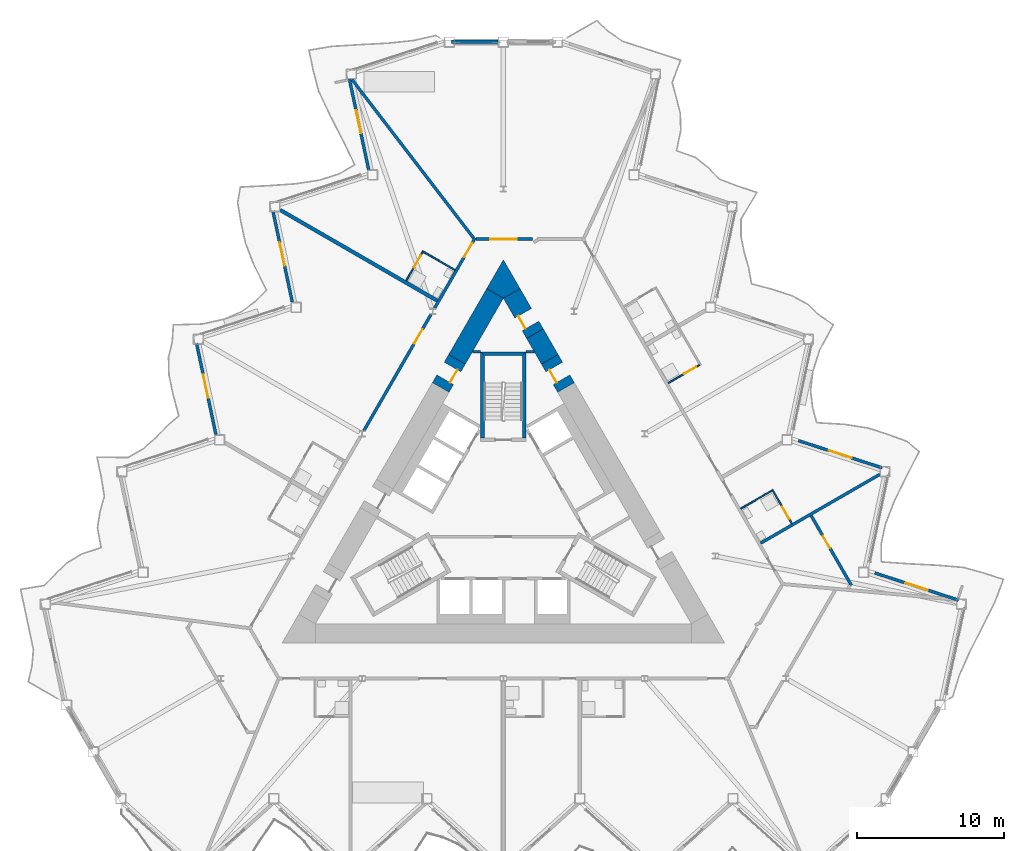
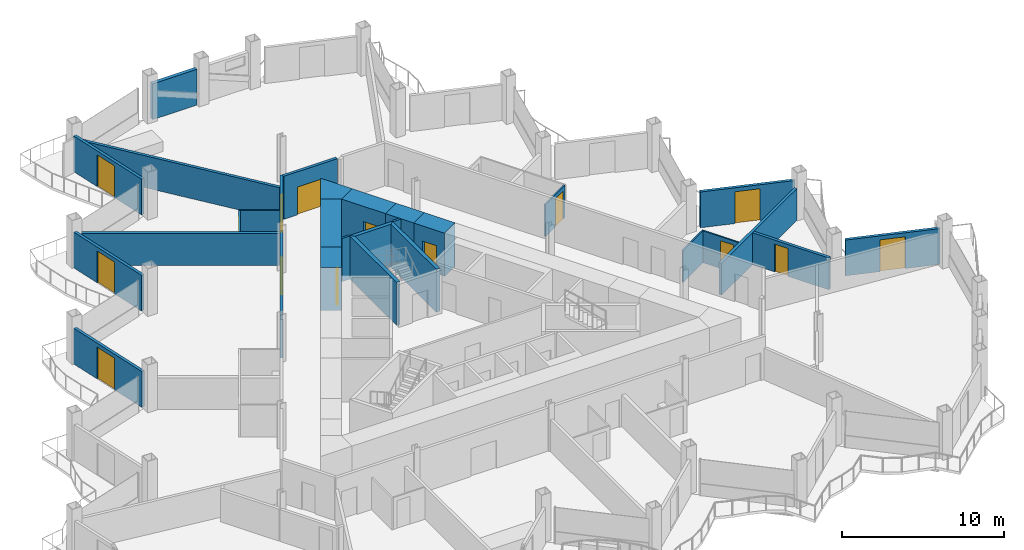
# One storey, part 14 of 23: 29 walls, 15 doors, 15 openings.
"""IFC4 building model written with IfcOpenShell, lengths in metres."""

from ifc_helpers import new_model, si_unit, direction, frame, frame_2d, origin, place, context, subcontext, project, spatial, polyline, rectangle, outline, extrude, material, layer, layer_set, type_object, element, fill, save


model = new_model("IFC4")

# Units and contexts
model_context = context("Model", 3, precision=1e-05, world=origin(), true_north=direction((0.0, 1.0)))
body_context = subcontext(model_context, "Body", "Model", "MODEL_VIEW")
ifc_project = project(units=[si_unit("LENGTHUNIT", "METRE"), si_unit("AREAUNIT", "SQUARE_METRE"), si_unit("VOLUMEUNIT", "CUBIC_METRE"), si_unit("PLANEANGLEUNIT", "RADIAN"), si_unit("MASSUNIT", "GRAM", prefix="KILO")], contexts=[model_context])

# Site, building, storey
site_placement = place(None, origin())
site = spatial("IfcSite", under=ifc_project, at=site_placement, CompositionType="ELEMENT")
building_placement = place(site_placement, origin())
building = spatial("IfcBuilding", under=site, at=building_placement, Name="Cormorant Prow Tower", CompositionType="ELEMENT")
storey_placement = place(building_placement, frame((0.0, 0.0, 259.800048828125)))
storey = spatial("IfcBuildingStorey", under=building, at=storey_placement, Name="L58", CompositionType="ELEMENT", Elevation=259.800048828125)

# Walls
ifc_material_1 = material(Name="Gypsum board partition")
ifc_layer_1 = layer(ifc_material_1, 0.14990234375)
ifc_layer_set_1 = layer_set([ifc_layer_1], Name="Gypsum board partition")
wall_type_1 = type_object("IfcWallType", Name="Core partition 150", PredefinedType="PARTITIONING", material=ifc_layer_set_1)
for number, where, z_axis, x_axis, name in (
    (1, (1.5439453125, 11.0869140625, 0.0), (0.0, 0.0, 1.0), (1.0, 0.0, 0.0), "Service room partition"),
    (2, (-1.5439453125, 11.0869140625, 0.0), (0.0, 0.0, 1.0), (-1.0, 0.0, 0.0), "Service room partition"),
):
    element("IfcWall", number, at=place(storey_placement, frame(where, z_axis=z_axis, x_axis=x_axis)), inside=storey, type_object=wall_type_1, Name=name, PredefinedType="PARTITIONING", context=body_context, shape_type="SweptSolid", body=[
        extrude(rectangle(XDim=0.553955078125, YDim=0.14990234375, at=frame_2d((0.27685546875, 0.0))), origin(), (0.0, 0.0, 1.0), 3.25),
    ])
ifc_material_2 = material(Name="Concrete 8000 psi", Category="concrete")
ifc_layer_2 = layer(ifc_material_2, 1.300048828125)
ifc_layer_set_2 = layer_set([ifc_layer_2], Name="Concrete 8000 psi")
wall_type_2 = type_object("IfcWallType", Name="Core shear wall 1300", PredefinedType="SHEAR", material=ifc_layer_set_2)
wall_1_placement = place(storey_placement, frame((3.14501953125, 10.572998046875, 0.0), z_axis=(0.0, 0.0, 1.0), x_axis=(-0.500006371327, 0.866021725266, 0.0)))
element("IfcWall", 3, at=wall_1_placement, inside=storey, type_object=wall_type_2, Name="Core wall", PredefinedType="SHEAR", context=body_context, shape_type="SweptSolid", body=[
    extrude(rectangle(XDim=2.009765625, YDim=1.300048828125, at=frame_2d((1.0048828125, 0.0))), origin(), (0.0, 0.0, 1.0), 3.25),
])
wall_2_placement = place(storey_placement, frame((-0.56298828125, 15.04541015625, 0.0), z_axis=(0.0, 0.0, 1.0), x_axis=(-0.499982995661, -0.866035221021, 0.0)))
element("IfcWall", 4, at=wall_2_placement, inside=storey, type_object=wall_type_2, Name="Core wall", PredefinedType="SHEAR", context=body_context, shape_type="SweptSolid", body=[
    extrude(rectangle(XDim=5.164306640625, YDim=1.300048828125, at=frame_2d((2.58203125, 0.0))), origin(), (0.0, 0.0, 1.0), 3.25),
])
wall_3_placement = place(storey_placement, origin())
element("IfcWall", 5, at=wall_3_placement, inside=storey, type_object=wall_type_2, Name="Core wall corner", PredefinedType="SHEAR", context=body_context, shape_type="SweptSolid", body=[
    extrude(outline(polyline([(-1.125732421875, 15.37060546875), (0.0, 17.320556640625), (1.125732421875, 15.37060546875), (0.0, 14.720458984375), (-1.125732421875, 15.37060546875)])), origin(), (0.0, 0.0, 1.0), 3.25),
])

# Wall, opening, door
wall_4_placement = place(storey_placement, frame((2.14013671875, 12.3134765625, 0.0), z_axis=(0.0, 0.0, 1.0), x_axis=(-0.499968102766, 0.866043818878, 0.0)))
wall_4 = element("IfcWall", 6, at=wall_4_placement, inside=storey, type_object=wall_type_2, Name="Core wall door panel", PredefinedType="SHEAR", context=body_context, shape_type="SweptSolid", body=[
    extrude(rectangle(XDim=3.154541015625, YDim=1.300048828125, at=frame_2d((1.5771484375, 0.0))), origin(), (0.0, 0.0, 1.0), 3.25),
])
opening_1_placement = place(wall_4_placement, frame((0.60009765625, 0.0, 0.0)))
opening_1 = element("IfcOpeningElement", 7, at=opening_1_placement, cuts=wall_4, Name="Opening L58-C16", PredefinedType="OPENING", context=body_context, shape_type="SweptSolid", body=[
    extrude(rectangle(XDim=1.0, YDim=2.10009765625, at=frame_2d((0.5, 1.050048828125))), frame((0.0, 0.659912109375, 0.0), z_axis=(0.0, -1.0, 0.0), x_axis=(1.0, 0.0, 0.0)), (0.0, 0.0, 1.0), 1.320068359375),
])
ifc_material_3 = material(Name="Painted steel", Category="steel")
door_type_1 = type_object("IfcDoorType", Name="Service door 1000x2100", OperationType="NOTDEFINED", PredefinedType="DOOR", material=ifc_material_3)
door_1_placement = place(opening_1_placement, origin())
door_1 = element("IfcDoor", 8, at=door_1_placement, inside=storey, type_object=door_type_1, Name="Core door, Mechanical riser room", OperationType="SINGLE_SWING_LEFT", OverallHeight=2.10009765625, OverallWidth=1.0, PredefinedType="DOOR", context=body_context, shape_type="SweptSolid", body=[
    extrude(rectangle(XDim=1.0, YDim=2.10009765625, at=frame_2d((0.5, 1.050048828125))), frame((0.0, 0.40478515625, 0.0), z_axis=(0.0, -1.0, 0.0), x_axis=(1.0, 0.0, 0.0)), (0.0, 0.0, 1.0), 0.050048828125),
])
fill(opening_1, door_1)

wall_5_placement = place(storey_placement, frame((4.2451171875, 8.667724609375, 0.0), z_axis=(0.0, 0.0, 1.0), x_axis=(-0.50002983664, 0.866008176907, 0.0)))
wall_5 = element("IfcWall", 9, at=wall_5_placement, inside=storey, type_object=wall_type_2, Name="Core wall door panel", PredefinedType="SHEAR", context=body_context, shape_type="SweptSolid", body=[
    extrude(rectangle(XDim=2.199951171875, YDim=1.300048828125, at=frame_2d((1.10009765625, 0.0))), origin(), (0.0, 0.0, 1.0), 3.25),
])
opening_2_placement = place(wall_5_placement, frame((0.60009765625, 0.0, 0.0)))
opening_2 = element("IfcOpeningElement", 10, at=opening_2_placement, cuts=wall_5, Name="Opening L58-C17", PredefinedType="OPENING", context=body_context, shape_type="SweptSolid", body=[
    extrude(rectangle(XDim=1.0, YDim=2.10009765625, at=frame_2d((0.5, 1.050048828125))), frame((0.0, 0.659912109375, 0.0), z_axis=(0.0, -1.0, 0.0), x_axis=(1.0, 0.0, 0.0)), (0.0, 0.0, 1.0), 1.320068359375),
])
door_2_placement = place(opening_2_placement, origin())
door_2 = element("IfcDoor", 11, at=door_2_placement, inside=storey, type_object=door_type_1, Name="Core door, Mechanical riser room", OperationType="SINGLE_SWING_LEFT", OverallHeight=2.10009765625, OverallWidth=1.0, PredefinedType="DOOR", context=body_context, shape_type="SweptSolid", body=[
    extrude(rectangle(XDim=1.0, YDim=2.10009765625, at=frame_2d((0.5, 1.050048828125))), frame((0.0, 0.40478515625, 0.0), z_axis=(0.0, -1.0, 0.0), x_axis=(1.0, 0.0, 0.0)), (0.0, 0.0, 1.0), 0.050048828125),
])
fill(opening_2, door_2)

wall_6_placement = place(storey_placement, frame((-3.14501953125, 10.572998046875, 0.0), z_axis=(0.0, 0.0, 1.0), x_axis=(-0.50002983664, -0.866008176907, 0.0)))
wall_6 = element("IfcWall", 12, at=wall_6_placement, inside=storey, type_object=wall_type_2, Name="Core wall door panel", PredefinedType="SHEAR", context=body_context, shape_type="SweptSolid", body=[
    extrude(rectangle(XDim=2.199951171875, YDim=1.300048828125, at=frame_2d((1.10009765625, 0.0))), origin(), (0.0, 0.0, 1.0), 3.25),
])
opening_3_placement = place(wall_6_placement, frame((0.60009765625, 0.0, 0.0)))
opening_3 = element("IfcOpeningElement", 13, at=opening_3_placement, cuts=wall_6, Name="Opening L58-C18", PredefinedType="OPENING", context=body_context, shape_type="SweptSolid", body=[
    extrude(rectangle(XDim=1.0, YDim=2.10009765625, at=frame_2d((0.5, 1.050048828125))), frame((0.0, 0.659912109375, 0.0), z_axis=(0.0, -1.0, 0.0), x_axis=(1.0, 0.0, 0.0)), (0.0, 0.0, 1.0), 1.320068359375),
])
door_3_placement = place(opening_3_placement, origin())
door_3 = element("IfcDoor", 14, at=door_3_placement, inside=storey, type_object=door_type_1, Name="Core door, Mechanical riser room", OperationType="SINGLE_SWING_RIGHT", OverallHeight=2.10009765625, OverallWidth=1.0, PredefinedType="DOOR", context=body_context, shape_type="SweptSolid", body=[
    extrude(rectangle(XDim=1.0, YDim=2.10009765625, at=frame_2d((0.5, 1.050048828125))), frame((0.0, 0.40478515625, 0.0), z_axis=(0.0, -1.0, 0.0), x_axis=(1.0, 0.0, 0.0)), (0.0, 0.0, 1.0), 0.050048828125),
])
fill(opening_3, door_3)

ifc_material_4 = material(Name="Gypsum board corridor wall")
ifc_layer_3 = layer(ifc_material_4, 0.199951171875)
ifc_layer_set_3 = layer_set([ifc_layer_3], Name="Gypsum board corridor wall")
wall_type_3 = type_object("IfcWallType", Name="Corridor wall 200", PredefinedType="PARTITIONING", material=ifc_layer_set_3)
wall_7_placement = place(storey_placement, frame((-9.45751953125, 5.739501953125, 0.0), z_axis=(0.0, 0.0, 1.0), x_axis=(0.50000207303, 0.866024206917, 0.0)))
wall_7 = element("IfcWall", 15, at=wall_7_placement, inside=storey, type_object=wall_type_3, Name="Corridor wall", PredefinedType="PARTITIONING", context=body_context, shape_type="SweptSolid", body=[
    extrude(rectangle(XDim=9.0947265625, YDim=0.199951171875, at=frame_2d((4.54736328125, 0.0))), origin(), (0.0, 0.0, 1.0), 3.25),
])
opening_4_placement = place(wall_7_placement, frame((6.833251953125, 0.0, 0.0)))
opening_4 = element("IfcOpeningElement", 16, at=opening_4_placement, cuts=wall_7, Name="Opening L58-F21", PredefinedType="OPENING", context=body_context, shape_type="SweptSolid", body=[
    extrude(rectangle(XDim=1.10009765625, YDim=2.10009765625, at=frame_2d((0.550048828125, 1.050048828125))), frame((0.0, 0.10986328125, 0.0), z_axis=(0.0, -1.0, 0.0), x_axis=(1.0, 0.0, 0.0)), (0.0, 0.0, 1.0), 0.219970703125),
])
ifc_material_5 = material(Name="Timber door leaf", Category="wood")
door_type_2 = type_object("IfcDoorType", Name="Suite entrance door 1100x2100", OperationType="NOTDEFINED", PredefinedType="DOOR", material=ifc_material_5)
door_4_placement = place(opening_4_placement, origin())
door_4 = element("IfcDoor", 17, at=door_4_placement, inside=storey, type_object=door_type_2, Name="Executive suite bedroom door", OperationType="SINGLE_SWING_RIGHT", OverallHeight=2.10009765625, OverallWidth=1.10009765625, PredefinedType="DOOR", context=body_context, shape_type="SweptSolid", body=[
    extrude(rectangle(XDim=1.10009765625, YDim=2.10009765625, at=frame_2d((0.550048828125, 1.050048828125))), frame((0.0, 0.02490234375, 0.0), z_axis=(0.0, -1.0, 0.0), x_axis=(1.0, 0.0, 0.0)), (0.0, 0.0, 1.0), 0.050048828125),
])
fill(opening_4, door_4)

wall_8_placement = place(storey_placement, frame((-4.668212890625, 14.034912109375, 0.0), z_axis=(0.0, 0.0, 1.0), x_axis=(0.499984524817, 0.866034338201, 0.0)))
wall_8 = element("IfcWall", 18, at=wall_8_placement, inside=storey, type_object=wall_type_3, Name="Corridor wall", PredefinedType="PARTITIONING", context=body_context, shape_type="SweptSolid", body=[
    extrude(rectangle(XDim=5.510498046875, YDim=0.199951171875, at=frame_2d((2.75537109375, 0.0))), origin(), (0.0, 0.0, 1.0), 3.25),
])
opening_5_placement = place(wall_8_placement, frame((4.009765625, 0.0, 0.0)))
opening_5 = element("IfcOpeningElement", 19, at=opening_5_placement, cuts=wall_8, Name="Opening L58-F19", PredefinedType="OPENING", context=body_context, shape_type="SweptSolid", body=[
    extrude(rectangle(XDim=1.10009765625, YDim=2.10009765625, at=frame_2d((0.550048828125, 1.050048828125))), frame((0.0, 0.10986328125, 0.0), z_axis=(0.0, -1.0, 0.0), x_axis=(1.0, 0.0, 0.0)), (0.0, 0.0, 1.0), 0.219970703125),
])
door_5_placement = place(opening_5_placement, origin())
door_5 = element("IfcDoor", 20, at=door_5_placement, inside=storey, type_object=door_type_2, Name="Junior suite door", OperationType="SINGLE_SWING_RIGHT", OverallHeight=2.10009765625, OverallWidth=1.10009765625, PredefinedType="DOOR", context=body_context, shape_type="SweptSolid", body=[
    extrude(rectangle(XDim=1.10009765625, YDim=2.10009765625, at=frame_2d((0.550048828125, 1.050048828125))), frame((0.0, 0.02490234375, 0.0), z_axis=(0.0, -1.0, 0.0), x_axis=(1.0, 0.0, 0.0)), (0.0, 0.0, 1.0), 0.050048828125),
])
fill(opening_5, door_5)

wall_9_placement = place(storey_placement, frame((-1.863037109375, 18.720458984375, 0.0), z_axis=(0.0, 0.0, 1.0), x_axis=(1.0, 0.0, 0.0)))
wall_9 = element("IfcWall", 21, at=wall_9_placement, inside=storey, type_object=wall_type_3, Name="Corridor wall", PredefinedType="PARTITIONING", context=body_context, shape_type="SweptSolid", body=[
    extrude(rectangle(XDim=3.825927734375, YDim=0.199951171875, at=frame_2d((1.9130859375, 0.0))), origin(), (0.0, 0.0, 1.0), 3.25),
])
opening_6_placement = place(wall_9_placement, frame((0.962158203125, 0.0, 0.0)))
opening_6 = element("IfcOpeningElement", 22, at=opening_6_placement, cuts=wall_9, Name="Opening L58-F18", PredefinedType="OPENING", context=body_context, shape_type="SweptSolid", body=[
    extrude(rectangle(XDim=1.800048828125, YDim=2.10009765625, at=frame_2d((0.89990234375, 1.050048828125))), frame((0.0, 0.10986328125, 0.0), z_axis=(0.0, -1.0, 0.0), x_axis=(1.0, 0.0, 0.0)), (0.0, 0.0, 1.0), 0.219970703125),
])
ifc_material_6 = material(Name="Timber door leaf", Category="wood")
door_type_3 = type_object("IfcDoorType", Name="Double door 1800x2100", OperationType="DOUBLE_DOOR_SINGLE_SWING", PredefinedType="DOOR", material=ifc_material_6)
door_6_placement = place(opening_6_placement, origin())
door_6 = element("IfcDoor", 23, at=door_6_placement, inside=storey, type_object=door_type_3, Name="Co-working space door", OperationType="DOUBLE_DOOR_SINGLE_SWING", OverallHeight=2.10009765625, OverallWidth=1.800048828125, PredefinedType="DOOR", context=body_context, shape_type="SweptSolid", body=[
    extrude(rectangle(XDim=1.800048828125, YDim=2.10009765625, at=frame_2d((0.89990234375, 1.050048828125))), frame((0.0, 0.02490234375, 0.0), z_axis=(0.0, -1.0, 0.0), x_axis=(1.0, 0.0, 0.0)), (0.0, 0.0, 1.0), 0.050048828125),
])
fill(opening_6, door_6)

# Walls
ifc_material_7 = material(Name="Gypsum board demising wall")
ifc_layer_4 = layer(ifc_material_7, 0.199951171875)
ifc_layer_set_4 = layer_set([ifc_layer_4], Name="Gypsum board demising wall")
wall_type_4 = type_object("IfcWallType", Name="Demising wall 200", PredefinedType="PARTITIONING", material=ifc_layer_set_4)
wall_10_placement = place(storey_placement, frame((-10.27734375, 29.555908203125, 0.0), z_axis=(0.0, 0.0, 1.0), x_axis=(0.60876001101, -0.793354428358, 0.0)))
element("IfcWall", 24, at=wall_10_placement, inside=storey, type_object=wall_type_4, Name="Demising wall", PredefinedType="PARTITIONING", context=body_context, shape_type="SweptSolid", body=[
    extrude(rectangle(XDim=13.557861328125, YDim=0.199951171875, at=frame_2d((6.77880859375, 0.0))), origin(), (0.0, 0.0, 1.0), 2.404052734375),
])
wall_11_placement = place(storey_placement, frame((17.442626953125, -1.89111328125, 0.0), z_axis=(0.0, 0.0, 1.0), x_axis=(0.866019838429, 0.500009639354, 0.0)))
element("IfcWall", 25, at=wall_11_placement, inside=storey, type_object=wall_type_4, Name="Demising wall", PredefinedType="PARTITIONING", context=body_context, shape_type="SweptSolid", body=[
    extrude(rectangle(XDim=9.321044921875, YDim=0.199951171875, at=frame_2d((4.66064453125, 0.0))), origin(), (0.0, 0.0, 1.0), 2.404052734375),
])

# Wall, opening, door
wall_12_placement = place(storey_placement, frame((20.8701171875, -0.027587890625, 0.0), z_axis=(0.0, 0.0, 1.0), x_axis=(0.499993928037, -0.866028909405, 0.0)))
wall_12 = element("IfcWall", 26, at=wall_12_placement, inside=storey, type_object=wall_type_4, Name="Demising wall", PredefinedType="PARTITIONING", context=body_context, shape_type="SweptSolid", body=[
    extrude(rectangle(XDim=5.44921875, YDim=0.199951171875, at=frame_2d((2.724609375, 0.0))), origin(), (0.0, 0.0, 1.0), 2.404052734375),
])
opening_7_placement = place(wall_12_placement, frame((1.5830078125, 0.0, 0.0)))
opening_7 = element("IfcOpeningElement", 27, at=opening_7_placement, cuts=wall_12, Name="Opening L58-F11", PredefinedType="OPENING", context=body_context, shape_type="SweptSolid", body=[
    extrude(rectangle(XDim=0.949951171875, YDim=2.10009765625, at=frame_2d((0.47509765625, 1.050048828125))), frame((0.0, 0.10986328125, 0.0), z_axis=(0.0, -1.0, 0.0), x_axis=(1.0, 0.0, 0.0)), (0.0, 0.0, 1.0), 0.219970703125),
])
ifc_material_8 = material(Name="Timber door leaf", Category="wood")
door_type_4 = type_object("IfcDoorType", Name="Store door 950x2100", OperationType="NOTDEFINED", PredefinedType="DOOR", material=ifc_material_8)
door_7_placement = place(opening_7_placement, origin())
door_7 = element("IfcDoor", 28, at=door_7_placement, inside=storey, type_object=door_type_4, Name="Housekeeping room door", OperationType="SINGLE_SWING_LEFT", OverallHeight=2.10009765625, OverallWidth=0.949951171875, PredefinedType="DOOR", context=body_context, shape_type="SweptSolid", body=[
    extrude(rectangle(XDim=0.949951171875, YDim=2.10009765625, at=frame_2d((0.47509765625, 1.050048828125))), frame((0.0, 0.02490234375, 0.0), z_axis=(0.0, -1.0, 0.0), x_axis=(1.0, 0.0, 0.0)), (0.0, 0.0, 1.0), 0.050048828125),
])
fill(opening_7, door_7)

ifc_material_9 = material(Name="Gypsum board partition")
ifc_layer_5 = layer(ifc_material_9, 0.10009765625)
ifc_layer_set_5 = layer_set([ifc_layer_5], Name="Gypsum board partition")
wall_type_5 = type_object("IfcWallType", Name="Internal partition 100", PredefinedType="PARTITIONING", material=ifc_layer_set_5)
wall_13_placement = place(storey_placement, frame((18.232666015625, 1.740478515625, 0.0), z_axis=(0.0, 0.0, 1.0), x_axis=(0.499993606316, -0.866029095148, 0.0)))
wall_13 = element("IfcWall", 29, at=wall_13_placement, inside=storey, type_object=wall_type_5, Name="Internal partition", PredefinedType="PARTITIONING", context=body_context, shape_type="SweptSolid", body=[
    extrude(rectangle(XDim=2.64990234375, YDim=0.10009765625, at=frame_2d((1.324951171875, 0.0))), origin(), (0.0, 0.0, 1.0), 2.404052734375),
])
opening_8_placement = place(wall_13_placement, frame((1.3408203125, 0.0, 0.0)))
opening_8 = element("IfcOpeningElement", 30, at=opening_8_placement, cuts=wall_13, Name="Opening L58-F13", PredefinedType="OPENING", context=body_context, shape_type="SweptSolid", body=[
    extrude(rectangle(XDim=0.949951171875, YDim=2.10009765625, at=frame_2d((0.47509765625, 1.050048828125))), frame((0.0, 0.06005859375, 0.0), z_axis=(0.0, -1.0, 0.0), x_axis=(1.0, 0.0, 0.0)), (0.0, 0.0, 1.0), 0.1201171875),
])
ifc_material_10 = material(Name="Timber door leaf", Category="wood")
door_type_5 = type_object("IfcDoorType", Name="Bathroom door 950x2100", OperationType="NOTDEFINED", PredefinedType="DOOR", material=ifc_material_10)
door_8_placement = place(opening_8_placement, origin())
door_8 = element("IfcDoor", 31, at=door_8_placement, inside=storey, type_object=door_type_5, Name="Guest room door", OperationType="SINGLE_SWING_RIGHT", OverallHeight=2.10009765625, OverallWidth=0.949951171875, PredefinedType="DOOR", context=body_context, shape_type="SweptSolid", body=[
    extrude(rectangle(XDim=0.949951171875, YDim=2.10009765625, at=frame_2d((0.47509765625, 1.050048828125))), frame((0.0, 0.02490234375, 0.0), z_axis=(0.0, -1.0, 0.0), x_axis=(1.0, 0.0, 0.0)), (0.0, 0.0, 1.0), 0.050048828125),
])
fill(opening_8, door_8)

# Wall
wall_14_placement = place(storey_placement, frame((16.092529296875, 0.447265625, 0.0), z_axis=(0.0, 0.0, 1.0), x_axis=(0.866057815567, 0.499943856944, 0.0)))
element("IfcWall", 32, at=wall_14_placement, inside=storey, type_object=wall_type_5, Name="Internal partition", PredefinedType="PARTITIONING", context=body_context, shape_type="SweptSolid", body=[
    extrude(rectangle(XDim=2.449951171875, YDim=0.10009765625, at=frame_2d((1.22509765625, 0.0))), origin(), (0.0, 0.0, 1.0), 2.404052734375),
])

# Wall, opening, door
wall_15_placement = place(storey_placement, frame((11.17333984375, 8.967529296875, 0.0), z_axis=(0.0, 0.0, 1.0), x_axis=(0.866014668023, 0.500018594424, 0.0)))
wall_15 = element("IfcWall", 33, at=wall_15_placement, inside=storey, type_object=wall_type_5, Name="Internal partition", PredefinedType="PARTITIONING", context=body_context, shape_type="SweptSolid", body=[
    extrude(rectangle(XDim=2.4501953125, YDim=0.10009765625, at=frame_2d((1.22509765625, 0.0))), origin(), (0.0, 0.0, 1.0), 2.404052734375),
])
opening_9_placement = place(wall_15_placement, frame((1.25, 0.0, 0.0)))
opening_9 = element("IfcOpeningElement", 34, at=opening_9_placement, cuts=wall_15, Name="Opening L58-F15", PredefinedType="OPENING", context=body_context, shape_type="SweptSolid", body=[
    extrude(rectangle(XDim=0.949951171875, YDim=2.10009765625, at=frame_2d((0.47509765625, 1.050048828125))), frame((0.0, 0.06005859375, 0.0), z_axis=(0.0, -1.0, 0.0), x_axis=(1.0, 0.0, 0.0)), (0.0, 0.0, 1.0), 0.1201171875),
])
door_9_placement = place(opening_9_placement, origin())
door_9 = element("IfcDoor", 35, at=door_9_placement, inside=storey, type_object=door_type_5, Name="Junior suite door", OperationType="SINGLE_SWING_RIGHT", OverallHeight=2.10009765625, OverallWidth=0.949951171875, PredefinedType="DOOR", context=body_context, shape_type="SweptSolid", body=[
    extrude(rectangle(XDim=0.949951171875, YDim=2.10009765625, at=frame_2d((0.47509765625, 1.050048828125))), frame((0.0, 0.02490234375, 0.0), z_axis=(0.0, -1.0, 0.0), x_axis=(1.0, 0.0, 0.0)), (0.0, 0.0, 1.0), 0.050048828125),
])
fill(opening_9, door_9)

# Wall
wall_16_placement = place(storey_placement, frame((-5.493896484375, 17.90478515625, 0.0), z_axis=(0.0, 0.0, 1.0), x_axis=(0.866030925526, -0.499990435942, 0.0)))
element("IfcWall", 36, at=wall_16_placement, inside=storey, type_object=wall_type_5, Name="Internal partition", PredefinedType="PARTITIONING", context=body_context, shape_type="SweptSolid", body=[
    extrude(rectangle(XDim=2.5498046875, YDim=0.10009765625, at=frame_2d((1.27490234375, 0.0))), origin(), (0.0, 0.0, 1.0), 2.404052734375),
])

# Wall, opening, door
wall_17_placement = place(storey_placement, frame((-6.588134765625, 15.909423828125, 0.0), z_axis=(0.0, 0.0, 1.0), x_axis=(0.49999788721, 0.866026623601, 0.0)))
wall_17 = element("IfcWall", 37, at=wall_17_placement, inside=storey, type_object=wall_type_5, Name="Internal partition", PredefinedType="PARTITIONING", context=body_context, shape_type="SweptSolid", body=[
    extrude(rectangle(XDim=2.22509765625, YDim=0.10009765625, at=frame_2d((1.112548828125, 0.0))), origin(), (0.0, 0.0, 1.0), 2.404052734375),
])
opening_10_placement = place(wall_17_placement, frame((1.02490234375, 0.0, 0.0)))
opening_10 = element("IfcOpeningElement", 38, at=opening_10_placement, cuts=wall_17, Name="Opening L58-F20", PredefinedType="OPENING", context=body_context, shape_type="SweptSolid", body=[
    extrude(rectangle(XDim=0.949951171875, YDim=2.10009765625, at=frame_2d((0.47509765625, 1.050048828125))), frame((0.0, 0.06005859375, 0.0), z_axis=(0.0, -1.0, 0.0), x_axis=(1.0, 0.0, 0.0)), (0.0, 0.0, 1.0), 0.1201171875),
])
door_10_placement = place(opening_10_placement, origin())
door_10 = element("IfcDoor", 39, at=door_10_placement, inside=storey, type_object=door_type_5, Name="Junior suite door", OperationType="SINGLE_SWING_RIGHT", OverallHeight=2.10009765625, OverallWidth=0.949951171875, PredefinedType="DOOR", context=body_context, shape_type="SweptSolid", body=[
    extrude(rectangle(XDim=0.949951171875, YDim=2.10009765625, at=frame_2d((0.47509765625, 1.050048828125))), frame((0.0, 0.02490234375, 0.0), z_axis=(0.0, -1.0, 0.0), x_axis=(1.0, 0.0, 0.0)), (0.0, 0.0, 1.0), 0.050048828125),
])
fill(opening_10, door_10)

# Walls
ifc_material_11 = material(Name="Concrete 8000 psi", Category="concrete")
ifc_layer_6 = layer(ifc_material_11, 0.25)
ifc_layer_set_6 = layer_set([ifc_layer_6], Name="Concrete 8000 psi")
wall_type_6 = type_object("IfcWallType", Name="Stair wall 250", PredefinedType="SHEAR", material=ifc_layer_set_6)
wall_18_placement = place(storey_placement, origin())
element("IfcWall", 40, at=wall_18_placement, inside=storey, type_object=wall_type_6, Name="Stair ST3 enclosure wall (flank)", PredefinedType="SHEAR", context=body_context, shape_type="SweptSolid", body=[
    extrude(outline(polyline([(1.5439453125, 5.23681640625), (1.5439453125, 11.0869140625), (1.2939453125, 10.8369140625), (1.2939453125, 5.23681640625), (1.5439453125, 5.23681640625)])), origin(), (0.0, 0.0, 1.0), 3.25),
])
wall_19_placement = place(storey_placement, origin())
element("IfcWall", 41, at=wall_19_placement, inside=storey, type_object=wall_type_6, Name="Stair ST3 enclosure wall (end)", PredefinedType="SHEAR", context=body_context, shape_type="SweptSolid", body=[
    extrude(outline(polyline([(1.5439453125, 11.0869140625), (-1.5439453125, 11.0869140625), (-1.2939453125, 10.8369140625), (1.2939453125, 10.8369140625), (1.5439453125, 11.0869140625)])), origin(), (0.0, 0.0, 1.0), 3.25),
])
wall_20_placement = place(storey_placement, origin())
element("IfcWall", 42, at=wall_20_placement, inside=storey, type_object=wall_type_6, Name="Stair ST3 enclosure wall (flank)", PredefinedType="SHEAR", context=body_context, shape_type="SweptSolid", body=[
    extrude(outline(polyline([(-1.2939453125, 10.8369140625), (-1.5439453125, 11.0869140625), (-1.5439453125, 5.23681640625), (-1.2939453125, 5.23681640625), (-1.2939453125, 10.8369140625)])), origin(), (0.0, 0.0, 1.0), 3.25),
])
ifc_material_12 = material(Name="Acoustic gypsum party wall")
ifc_layer_7 = layer(ifc_material_12, 0.25)
ifc_layer_set_7 = layer_set([ifc_layer_7], Name="Acoustic gypsum party wall")
wall_type_7 = type_object("IfcWallType", Name="Suite party wall 250", PredefinedType="PARTITIONING", material=ifc_layer_set_7)
wall_21_placement = place(storey_placement, frame((-15.138427734375, 20.70166015625, 0.0), z_axis=(0.0, 0.0, 1.0), x_axis=(0.86602627735, -0.499998486937, 0.0)))
element("IfcWall", 43, at=wall_21_placement, inside=storey, type_object=wall_type_7, Name="Suite party wall", PredefinedType="PARTITIONING", context=body_context, shape_type="SweptSolid", body=[
    extrude(rectangle(XDim=12.30078125, YDim=0.25, at=frame_2d((6.150390625, 0.0))), origin(), (0.0, 0.0, 1.0), 2.404052734375),
])
ifc_material_13 = material(Name="Terracotta", Category="masonry")
ifc_layer_8 = layer(ifc_material_13, 0.25)
ifc_layer_set_8 = layer_set([ifc_layer_8], Name="Terracotta")
wall_type_8 = type_object("IfcWallType", Name="Terracotta bay wall 250", PredefinedType="SOLIDWALL", material=ifc_layer_set_8)
wall_22_placement = place(storey_placement, frame((-0.35009765625, 32.099609375, 0.0), z_axis=(0.0, 0.0, 1.0), x_axis=(-1.0, 0.0, 0.0)))
element("IfcWall", 44, at=wall_22_placement, inside=storey, type_object=wall_type_8, Name="Terracotta bay wall N01", PredefinedType="SOLIDWALL", context=body_context, shape_type="SweptSolid", body=[
    extrude(rectangle(XDim=3.168701171875, YDim=0.25, at=frame_2d((1.58447265625, 0.0))), origin(), (0.0, 0.0, 1.0), 2.700927734375),
])

# Wall, opening, door
ifc_material_14 = material(Name="Terracotta", Category="masonry")
ifc_layer_9 = layer(ifc_material_14, 0.199951171875)
ifc_layer_set_9 = layer_set([ifc_layer_9], Name="Terracotta")
wall_type_9 = type_object("IfcWallType", Name="Terracotta jamb wall 200", PredefinedType="SOLIDWALL", material=ifc_layer_set_9)
wall_23_placement = place(storey_placement, frame((30.85888671875, -5.754150390625, 0.0), z_axis=(0.0, 0.0, 1.0), x_axis=(-0.951049400374, 0.309038894069, 0.0)))
wall_23 = element("IfcWall", 45, at=wall_23_placement, inside=storey, type_object=wall_type_9, Name="Terracotta jamb wall ENE01", PredefinedType="SOLIDWALL", context=body_context, shape_type="SweptSolid", body=[
    extrude(rectangle(XDim=5.9677734375, YDim=0.199951171875, at=frame_2d((2.98388671875, 0.0))), origin(), (0.0, 0.0, 1.0), 2.700927734375),
])
opening_11_placement = place(wall_23_placement, frame((2.183837890625, 0.0, 0.0)))
opening_11 = element("IfcOpeningElement", 46, at=opening_11_placement, cuts=wall_23, Name="Opening ED58.06", PredefinedType="OPENING", context=body_context, shape_type="SweptSolid", body=[
    extrude(rectangle(XDim=1.60009765625, YDim=2.39990234375, at=frame_2d((0.800048828125, 1.199951171875))), frame((0.0, 0.10986328125, 0.0), z_axis=(0.0, -1.0, 0.0), x_axis=(1.0, 0.0, 0.0)), (0.0, 0.0, 1.0), 0.219970703125),
])
ifc_material_15 = material(Name="Aluminium 6063-T6", Category="aluminium")
door_type_6 = type_object("IfcDoorType", Name="Balcony door 1600x2400", OperationType="DOUBLE_DOOR_SINGLE_SWING", PredefinedType="DOOR", material=ifc_material_15)
door_11_placement = place(opening_11_placement, origin())
door_11 = element("IfcDoor", 47, at=door_11_placement, inside=storey, type_object=door_type_6, Name="Balcony door ENE01 ED58.06", OperationType="DOUBLE_DOOR_SINGLE_SWING", OverallHeight=2.39990234375, OverallWidth=1.60009765625, PredefinedType="DOOR", context=body_context, shape_type="SweptSolid", body=[
    extrude(rectangle(XDim=1.60009765625, YDim=2.39990234375, at=frame_2d((0.800048828125, 1.199951171875))), frame((0.0, 0.02490234375, 0.0), z_axis=(0.0, -1.0, 0.0), x_axis=(1.0, 0.0, 0.0)), (0.0, 0.0, 1.0), 0.050048828125),
])
fill(opening_11, door_11)

wall_24_placement = place(storey_placement, frame((25.679443359375, 3.217041015625, 0.0), z_axis=(0.0, 0.0, 1.0), x_axis=(-0.951049400374, 0.309038894069, 0.0)))
wall_24 = element("IfcWall", 48, at=wall_24_placement, inside=storey, type_object=wall_type_9, Name="Terracotta jamb wall ENE03", PredefinedType="SOLIDWALL", context=body_context, shape_type="SweptSolid", body=[
    extrude(rectangle(XDim=5.9677734375, YDim=0.199951171875, at=frame_2d((2.98388671875, 0.0))), origin(), (0.0, 0.0, 1.0), 2.700927734375),
])
opening_12_placement = place(wall_24_placement, frame((2.183837890625, 0.0, 0.0)))
opening_12 = element("IfcOpeningElement", 49, at=opening_12_placement, cuts=wall_24, Name="Opening ED58.07", PredefinedType="OPENING", context=body_context, shape_type="SweptSolid", body=[
    extrude(rectangle(XDim=1.60009765625, YDim=2.39990234375, at=frame_2d((0.800048828125, 1.199951171875))), frame((0.0, 0.10986328125, 0.0), z_axis=(0.0, -1.0, 0.0), x_axis=(1.0, 0.0, 0.0)), (0.0, 0.0, 1.0), 0.219970703125),
])
door_12_placement = place(opening_12_placement, origin())
door_12 = element("IfcDoor", 50, at=door_12_placement, inside=storey, type_object=door_type_6, Name="Balcony door ENE03 ED58.07", OperationType="DOUBLE_DOOR_SINGLE_SWING", OverallHeight=2.39990234375, OverallWidth=1.60009765625, PredefinedType="DOOR", context=body_context, shape_type="SweptSolid", body=[
    extrude(rectangle(XDim=1.60009765625, YDim=2.39990234375, at=frame_2d((0.800048828125, 1.199951171875))), frame((0.0, 0.02490234375, 0.0), z_axis=(0.0, -1.0, 0.0), x_axis=(1.0, 0.0, 0.0)), (0.0, 0.0, 1.0), 0.050048828125),
])
fill(opening_12, door_12)

wall_25_placement = place(storey_placement, frame((-10.4462890625, 29.6015625, 0.0), z_axis=(0.0, 0.0, 1.0), x_axis=(0.207926028339, -0.97814455309, 0.0)))
wall_25 = element("IfcWall", 51, at=wall_25_placement, inside=storey, type_object=wall_type_9, Name="Terracotta jamb wall WNW01", PredefinedType="SOLIDWALL", context=body_context, shape_type="SweptSolid", body=[
    extrude(rectangle(XDim=6.29345703125, YDim=0.199951171875, at=frame_2d((3.146728515625, 0.0))), origin(), (0.0, 0.0, 1.0), 2.700927734375),
])
opening_13_placement = place(wall_25_placement, frame((2.183837890625, 0.0, 0.0)))
opening_13 = element("IfcOpeningElement", 52, at=opening_13_placement, cuts=wall_25, Name="Opening ED58.11", PredefinedType="OPENING", context=body_context, shape_type="SweptSolid", body=[
    extrude(rectangle(XDim=1.60009765625, YDim=2.39990234375, at=frame_2d((0.800048828125, 1.199951171875))), frame((0.0, 0.10986328125, 0.0), z_axis=(0.0, -1.0, 0.0), x_axis=(1.0, 0.0, 0.0)), (0.0, 0.0, 1.0), 0.219970703125),
])
door_13_placement = place(opening_13_placement, origin())
door_13 = element("IfcDoor", 53, at=door_13_placement, inside=storey, type_object=door_type_6, Name="Balcony door WNW01 ED58.11", OperationType="DOUBLE_DOOR_SINGLE_SWING", OverallHeight=2.39990234375, OverallWidth=1.60009765625, PredefinedType="DOOR", context=body_context, shape_type="SweptSolid", body=[
    extrude(rectangle(XDim=1.60009765625, YDim=2.39990234375, at=frame_2d((0.800048828125, 1.199951171875))), frame((0.0, 0.02490234375, 0.0), z_axis=(0.0, -1.0, 0.0), x_axis=(1.0, 0.0, 0.0)), (0.0, 0.0, 1.0), 0.050048828125),
])
fill(opening_13, door_13)

wall_26_placement = place(storey_placement, frame((-15.625732421875, 20.630615234375, 0.0), z_axis=(0.0, 0.0, 1.0), x_axis=(0.207882853761, -0.978153729795, 0.0)))
wall_26 = element("IfcWall", 54, at=wall_26_placement, inside=storey, type_object=wall_type_9, Name="Terracotta jamb wall WNW03", PredefinedType="SOLIDWALL", context=body_context, shape_type="SweptSolid", body=[
    extrude(rectangle(XDim=6.30078125, YDim=0.199951171875, at=frame_2d((3.150390625, 0.0))), origin(), (0.0, 0.0, 1.0), 2.700927734375),
])
opening_14_placement = place(wall_26_placement, frame((2.183837890625, 0.0, 0.0)))
opening_14 = element("IfcOpeningElement", 55, at=opening_14_placement, cuts=wall_26, Name="Opening ED58.12", PredefinedType="OPENING", context=body_context, shape_type="SweptSolid", body=[
    extrude(rectangle(XDim=1.60009765625, YDim=2.39990234375, at=frame_2d((0.800048828125, 1.199951171875))), frame((0.0, 0.10986328125, 0.0), z_axis=(0.0, -1.0, 0.0), x_axis=(1.0, 0.0, 0.0)), (0.0, 0.0, 1.0), 0.219970703125),
])
door_14_placement = place(opening_14_placement, origin())
door_14 = element("IfcDoor", 56, at=door_14_placement, inside=storey, type_object=door_type_6, Name="Balcony door WNW03 ED58.12", OperationType="DOUBLE_DOOR_SINGLE_SWING", OverallHeight=2.39990234375, OverallWidth=1.60009765625, PredefinedType="DOOR", context=body_context, shape_type="SweptSolid", body=[
    extrude(rectangle(XDim=1.60009765625, YDim=2.39990234375, at=frame_2d((0.800048828125, 1.199951171875))), frame((0.0, 0.02490234375, 0.0), z_axis=(0.0, -1.0, 0.0), x_axis=(1.0, 0.0, 0.0)), (0.0, 0.0, 1.0), 0.050048828125),
])
fill(opening_14, door_14)

wall_27_placement = place(storey_placement, frame((-20.805419921875, 11.659423828125, 0.0), z_axis=(0.0, 0.0, 1.0), x_axis=(0.207913305093, -0.978147257608, 0.0)))
wall_27 = element("IfcWall", 57, at=wall_27_placement, inside=storey, type_object=wall_type_9, Name="Terracotta jamb wall WNW05", PredefinedType="SOLIDWALL", context=body_context, shape_type="SweptSolid", body=[
    extrude(rectangle(XDim=6.316162109375, YDim=0.199951171875, at=frame_2d((3.158203125, 0.0))), origin(), (0.0, 0.0, 1.0), 2.700927734375),
])
opening_15_placement = place(wall_27_placement, frame((2.183837890625, 0.0, 0.0)))
opening_15 = element("IfcOpeningElement", 58, at=opening_15_placement, cuts=wall_27, Name="Opening ED58.13", PredefinedType="OPENING", context=body_context, shape_type="SweptSolid", body=[
    extrude(rectangle(XDim=1.60009765625, YDim=2.39990234375, at=frame_2d((0.800048828125, 1.199951171875))), frame((0.0, 0.10986328125, 0.0), z_axis=(0.0, -1.0, 0.0), x_axis=(1.0, 0.0, 0.0)), (0.0, 0.0, 1.0), 0.219970703125),
])
door_15_placement = place(opening_15_placement, origin())
door_15 = element("IfcDoor", 59, at=door_15_placement, inside=storey, type_object=door_type_6, Name="Balcony door WNW05 ED58.13", OperationType="DOUBLE_DOOR_SINGLE_SWING", OverallHeight=2.39990234375, OverallWidth=1.60009765625, PredefinedType="DOOR", context=body_context, shape_type="SweptSolid", body=[
    extrude(rectangle(XDim=1.60009765625, YDim=2.39990234375, at=frame_2d((0.800048828125, 1.199951171875))), frame((0.0, 0.02490234375, 0.0), z_axis=(0.0, -1.0, 0.0), x_axis=(1.0, 0.0, 0.0)), (0.0, 0.0, 1.0), 0.050048828125),
])
fill(opening_15, door_15)

save(model, "model.ifc")
